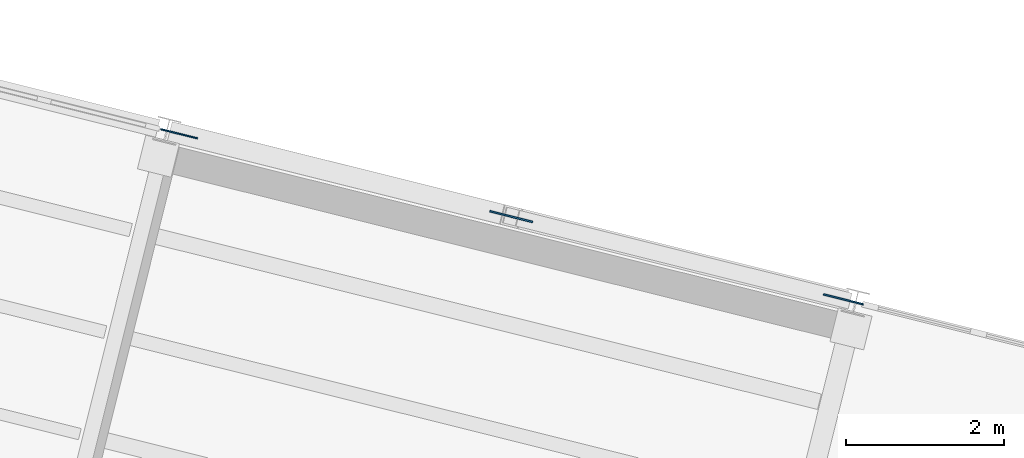
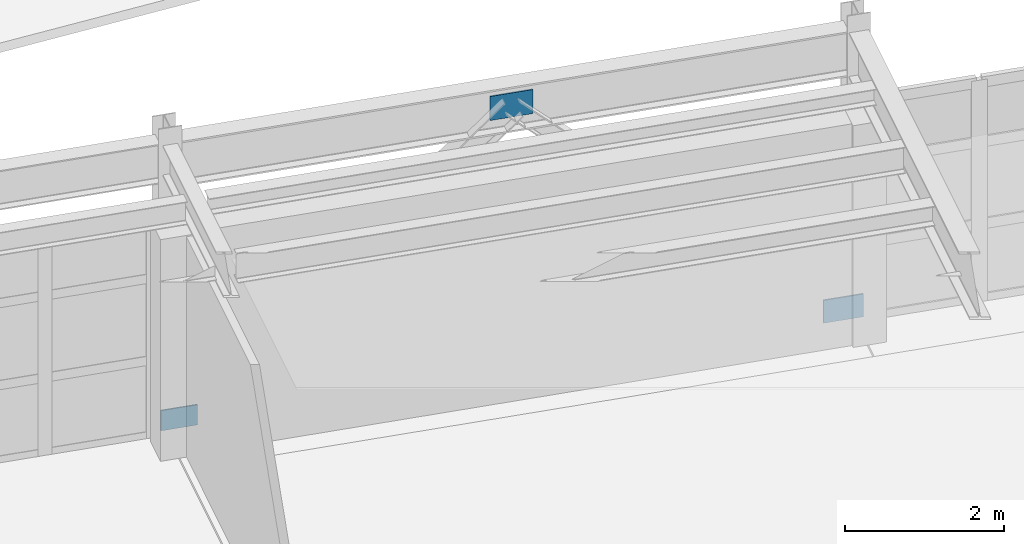
# One storey, part 43 of 59: 3 plates.
"""IFC4 building model written with IfcOpenShell, lengths in metres."""

from ifc_helpers import new_model, si_unit, direction, frame, origin, origin_2d, place, context, subcontext, project, spatial, rectangle, extrude, material, layer, layer_set, type_object, element, save


model = new_model("IFC4")

# Units and contexts
model_context = context("Model", 3, precision=1e-05, world=origin(), true_north=direction((0.0, 1.0)))
body_context = subcontext(model_context, "Body", "Model", "MODEL_VIEW")
ifc_project = project(units=[si_unit("LENGTHUNIT", "METRE"), si_unit("AREAUNIT", "SQUARE_METRE"), si_unit("VOLUMEUNIT", "CUBIC_METRE"), si_unit("PLANEANGLEUNIT", "RADIAN"), si_unit("MASSUNIT", "GRAM", prefix="KILO")], contexts=[model_context])

# Site, building, storey
site_placement = place(None, origin())
site = spatial("IfcSite", under=ifc_project, at=site_placement, CompositionType="ELEMENT")
building_placement = place(site_placement, origin())
building = spatial("IfcBuilding", under=site, at=building_placement, Name="Vireo Bluff Cable Station", CompositionType="ELEMENT")
storey_placement = place(building_placement, frame((0.0, 0.0, 14.39990234375)))
storey = spatial("IfcBuildingStorey", under=building, at=storey_placement, Name="L03", CompositionType="ELEMENT", Elevation=14.39990234375)

# Plates
ifc_material = material(Name="Steel ASTM A572 Gr. 50", Category="steel")
ifc_layer_1 = layer(ifc_material, 0.01904296875, Name="Steel ASTM A572 Gr. 50")
ifc_layer_set_1 = layer_set([ifc_layer_1], Name="Steel ASTM A572 Gr. 50")
plate_type_1 = type_object("IfcPlateType", Name="GUSSET-480X310X19", PredefinedType="USERDEFINED", material=ifc_layer_set_1)
plate_1_placement = place(storey_placement, frame((77.4267578125, 56.893798828125, 0.065185546875), z_axis=(0.0, 0.0, 1.0), x_axis=(0.970295726276, -0.2419218956, 0.0)))
element("IfcPlate", 1, at=plate_1_placement, inside=storey, type_object=plate_type_1, Name="V1 L03 brace base gusset plate 51", ObjectType="GUSSET PLATE", PredefinedType="USERDEFINED", context=body_context, shape_type="SweptSolid", body=[
    extrude(rectangle(XDim=0.47998046875, YDim=0.01904296875, at=origin_2d()), origin(), (0.0, 0.0, 1.0), 0.31005859375),
])
ifc_layer_2 = layer(ifc_material, 0.02099609375, Name="Steel ASTM A572 Gr. 50")
ifc_layer_set_2 = layer_set([ifc_layer_2], Name="Steel ASTM A572 Gr. 50")
plate_type_2 = type_object("IfcPlateType", Name="GUSSET-520X350X21", PredefinedType="USERDEFINED", material=ifc_layer_set_2)
plate_2_placement = place(storey_placement, frame((85.848876953125, 54.7939453125, 0.045166015625), z_axis=(0.0, 0.0, 1.0), x_axis=(0.970295726276, -0.2419218956, 0.0)))
element("IfcPlate", 2, at=plate_2_placement, inside=storey, type_object=plate_type_2, Name="V1 L03 brace base gusset plate 52", ObjectType="GUSSET PLATE", PredefinedType="USERDEFINED", context=body_context, shape_type="SweptSolid", body=[
    extrude(rectangle(XDim=0.52001953125, YDim=0.02099609375, at=origin_2d()), origin(), (0.0, 0.0, 1.0), 0.35009765625),
])
ifc_layer_3 = layer(ifc_material, 0.02294921875, Name="Steel ASTM A572 Gr. 50")
ifc_layer_set_3 = layer_set([ifc_layer_3], Name="Steel ASTM A572 Gr. 50")
plate_type_3 = type_object("IfcPlateType", Name="GUSSET-560X370X23", PredefinedType="USERDEFINED", material=ifc_layer_set_3)
plate_3_placement = place(storey_placement, frame((81.6376953125, 55.84375, 3.9951171875), z_axis=(0.0, 0.0, 1.0), x_axis=(0.970295726276, -0.2419218956, 0.0)))
element("IfcPlate", 3, at=plate_3_placement, inside=storey, type_object=plate_type_3, Name="V1 L03 chevron gusset plate 53", ObjectType="GUSSET PLATE", PredefinedType="USERDEFINED", context=body_context, shape_type="SweptSolid", body=[
    extrude(rectangle(XDim=0.56005859375, YDim=0.02294921875, at=origin_2d()), origin(), (0.0, 0.0, 1.0), 0.3701171875),
])

save(model, "model.ifc")
